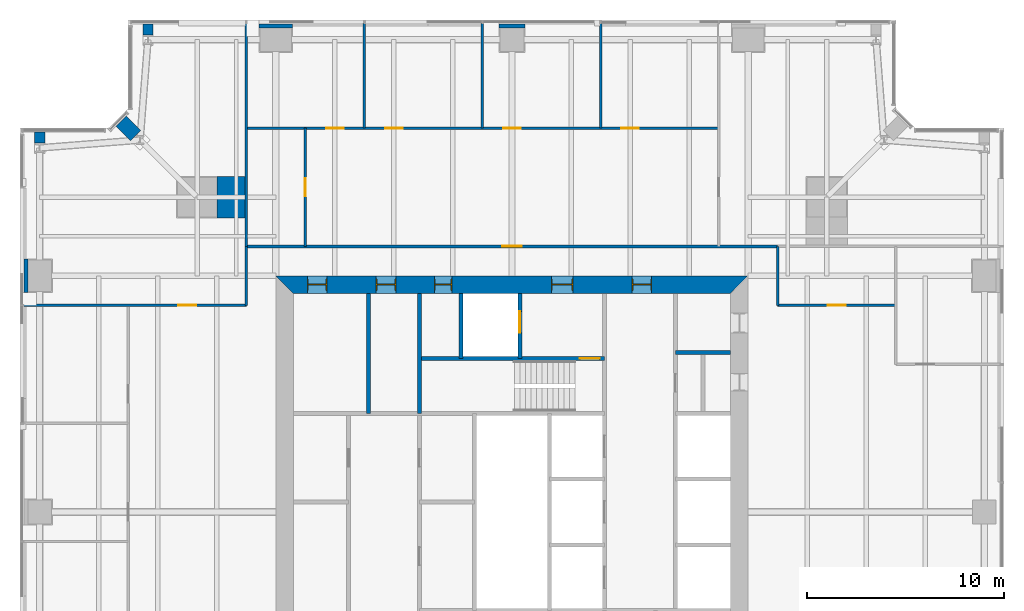
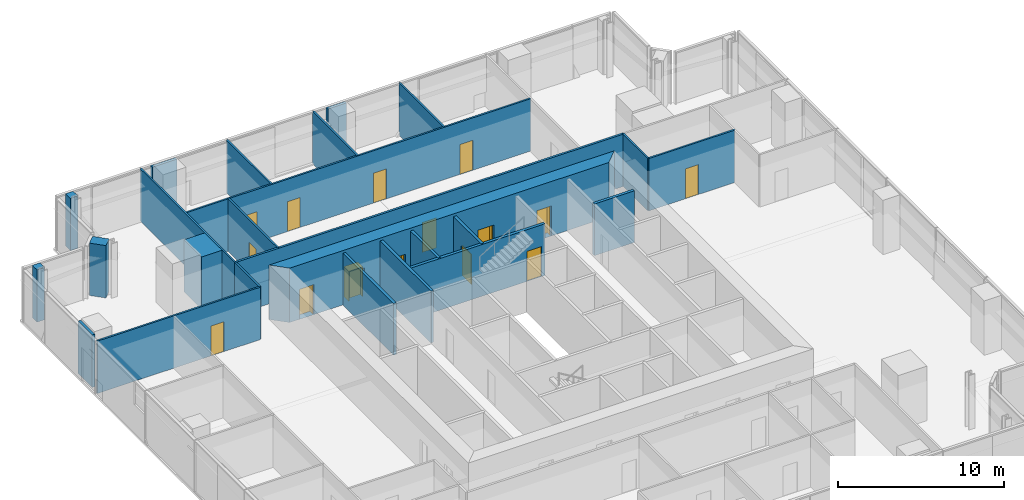
# One storey, part 11 of 14: 25 walls, 15 doors, 15 openings.
"""IFC4 building model written with IfcOpenShell, lengths in metres."""

from ifc_helpers import new_model, si_unit, direction, frame, frame_2d, origin, place, context, subcontext, project, spatial, polyline, rectangle, outline, extrude, material, layer, layer_set, type_object, element, fill, save


model = new_model("IFC4")

# Units and contexts
model_context = context("Model", 3, precision=1e-05, world=origin(), true_north=direction((0.0, 1.0)))
body_context = subcontext(model_context, "Body", "Model", "MODEL_VIEW")
ifc_project = project(units=[si_unit("LENGTHUNIT", "METRE"), si_unit("AREAUNIT", "SQUARE_METRE"), si_unit("VOLUMEUNIT", "CUBIC_METRE"), si_unit("PLANEANGLEUNIT", "RADIAN"), si_unit("MASSUNIT", "GRAM", prefix="KILO")], contexts=[model_context])

# Site, building, storey
site_placement = place(None, origin())
site = spatial("IfcSite", under=ifc_project, at=site_placement, CompositionType="ELEMENT")
building_placement = place(site_placement, origin())
building = spatial("IfcBuilding", under=site, at=building_placement, Name="Fenwick Lantern Interchange", CompositionType="ELEMENT")
storey_placement = place(building_placement, frame((0.0, 0.0, 193.800048828125)))
storey = spatial("IfcBuildingStorey", under=building, at=storey_placement, Name="L45", CompositionType="ELEMENT", Elevation=193.800048828125)

# Walls
ifc_material_1 = material(Name="Fire-rated gypsum board encasement on steel studs, 2 hour", Category="steel")
ifc_layer_1 = layer(ifc_material_1, 1.300048828125)
ifc_layer_set_1 = layer_set([ifc_layer_1], Name="COLUMN PIER 1300")
wall_type_1 = type_object("IfcWallType", Name="COLUMN PIER 1300", PredefinedType="PARTITIONING", material=ifc_layer_set_1)
wall_1_placement = place(storey_placement, frame((25.0, 49.800048828125, 0.0), z_axis=(0.0, 0.0, 1.0), x_axis=(0.0, -1.0, 0.0)))
element("IfcWall", 1, at=wall_1_placement, inside=storey, type_object=wall_type_1, Name="L45/W/PIER/CN3", PredefinedType="PARTITIONING", context=body_context, shape_type="SweptSolid", body=[
    extrude(rectangle(XDim=0.199951171875, YDim=1.300048828125, at=frame_2d((0.10009765625, 0.0))), origin(), (0.0, 0.0, 1.0), 3.849853515625),
])
ifc_layer_2 = layer(ifc_material_1, 1.699951171875)
ifc_layer_set_2 = layer_set([ifc_layer_2], Name="COLUMN PIER 1700")
wall_type_2 = type_object("IfcWallType", Name="COLUMN PIER 1700", PredefinedType="PARTITIONING", material=ifc_layer_set_2)
for number, where, z_axis, x_axis, name in (
    (2, (13.0, 49.800048828125, 0.0), (0.0, 0.0, 1.0), (0.0, -1.0, 0.0), "L45/W/PIER/CN4"),
    (3, (0.199951171875, 37.0, 0.0), (0.0, 0.0, 1.0), (1.0, 0.0, 0.0), "L45/W/PIER/CW2"),
):
    element("IfcWall", number, at=place(storey_placement, frame(where, z_axis=z_axis, x_axis=x_axis)), inside=storey, type_object=wall_type_2, Name=name, PredefinedType="PARTITIONING", context=body_context, shape_type="SweptSolid", body=[
        extrude(rectangle(XDim=0.199951171875, YDim=1.699951171875, at=frame_2d((0.10009765625, 0.0))), origin(), (0.0, 0.0, 1.0), 3.849853515625),
    ])
ifc_layer_3 = layer(ifc_material_1, 2.10009765625)
ifc_layer_set_3 = layer_set([ifc_layer_3], Name="COLUMN PIER 2100")
wall_type_3 = type_object("IfcWallType", Name="COLUMN PIER 2100", PredefinedType="PARTITIONING", material=ifc_layer_set_3)
wall_2_placement = place(storey_placement, frame((11.4375, 41.0, 0.0), z_axis=(0.0, 0.0, 1.0), x_axis=(-1.0, 0.0, 0.0)))
element("IfcWall", 4, at=wall_2_placement, inside=storey, type_object=wall_type_3, Name="L45/W/PIER/M4", PredefinedType="PARTITIONING", context=body_context, shape_type="SweptSolid", body=[
    extrude(rectangle(XDim=1.4375, YDim=2.10009765625, at=frame_2d((0.71875, 0.0))), origin(), (0.0, 0.0, 1.0), 3.849853515625),
])
ifc_layer_4 = layer(ifc_material_1, 0.52392578125)
ifc_layer_set_4 = layer_set([ifc_layer_4], Name="COLUMN PIER 524")
wall_type_4 = type_object("IfcWallType", Name="COLUMN PIER 524", PredefinedType="PARTITIONING", material=ifc_layer_set_4)
for number, where, z_axis, x_axis, name in (
    (5, (6.5, 49.800048828125, 0.0), (0.0, 0.0, 1.0), (0.0, -1.0, 0.0), "L45/W/PIER/CN5"),
    (6, (1.0, 44.300048828125, 0.0), (0.0, 0.0, 1.0), (0.0, -1.0, 0.0), "L45/W/PIER/CW1"),
):
    element("IfcWall", number, at=place(storey_placement, frame(where, z_axis=z_axis, x_axis=x_axis)), inside=storey, type_object=wall_type_4, Name=name, PredefinedType="PARTITIONING", context=body_context, shape_type="SweptSolid", body=[
        extrude(rectangle(XDim=0.5625, YDim=0.52392578125, at=frame_2d((0.28125, 0.0))), origin(), (0.0, 0.0, 1.0), 3.849853515625),
    ])
ifc_layer_5 = layer(ifc_material_1, 0.736083984375)
ifc_layer_set_5 = layer_set([ifc_layer_5], Name="COLUMN PIER 736")
wall_type_5 = type_object("IfcWallType", Name="COLUMN PIER 736", PredefinedType="PARTITIONING", material=ifc_layer_set_5)
wall_3_placement = place(storey_placement, frame((5.141357421875, 44.858642578125, 0.0), z_axis=(0.0, 0.0, 1.0), x_axis=(0.707106781187, -0.707106781187, 0.0)))
element("IfcWall", 7, at=wall_3_placement, inside=storey, type_object=wall_type_5, Name="L45/W/PIER/CNR", PredefinedType="PARTITIONING", context=body_context, shape_type="SweptSolid", body=[
    extrude(rectangle(XDim=1.037841796875, YDim=0.736083984375, at=frame_2d((0.51904296875, 0.0))), origin(), (0.0, 0.0, 1.0), 3.849853515625),
])

# Wall, opening, door
ifc_material_2 = material(Name="Concrete masonry ASTM C90 Grade N", Category="masonry")
ifc_layer_6 = layer(ifc_material_2, 0.199951171875)
ifc_layer_set_6 = layer_set([ifc_layer_6], Name="Concrete masonry ASTM C90 Grade N")
wall_type_6 = type_object("IfcWallType", Name="CORE PARTITION 200", PredefinedType="PARTITIONING", material=ifc_layer_set_6)
wall_4_placement = place(storey_placement, frame((25.39990234375, 36.10009765625, 0.0), z_axis=(0.0, 0.0, 1.0), x_axis=(0.0, -1.0, 0.0)))
wall_4 = element("IfcWall", 8, at=wall_4_placement, inside=storey, type_object=wall_type_6, Name="L45/W/COREN/h1", PredefinedType="PARTITIONING", context=body_context, shape_type="SweptSolid", body=[
    extrude(rectangle(XDim=3.300048828125, YDim=0.199951171875, at=frame_2d((1.64990234375, 0.0))), origin(), (0.0, 0.0, 1.0), 3.800048828125),
])
opening_1_placement = place(wall_4_placement, frame((0.89990234375, 0.0, 0.0)))
opening_1 = element("IfcOpeningElement", 9, at=opening_1_placement, cuts=wall_4, Name="Opening LD-FL2", PredefinedType="OPENING", context=body_context, shape_type="SweptSolid", body=[
    extrude(rectangle(XDim=1.10009765625, YDim=2.199951171875, at=frame_2d((0.550048828125, 1.10009765625))), frame((0.0, 0.10986328125, 0.0), z_axis=(0.0, -1.0, 0.0), x_axis=(1.0, 0.0, 0.0)), (0.0, 0.0, 1.0), 0.219970703125),
])
ifc_material_3 = material(Name="Steel door and frame", Category="steel")
door_type_1 = type_object("IfcDoorType", Name="LIFT LANDING DOOR 1100 X 2200", OperationType="DOUBLE_DOOR_SLIDING", PredefinedType="DOOR", material=ifc_material_3)
door_1_placement = place(opening_1_placement, origin())
door_1 = element("IfcDoor", 10, at=door_1_placement, inside=storey, type_object=door_type_1, Name="Lift landing door FL2", OperationType="DOUBLE_DOOR_SLIDING", OverallHeight=2.199951171875, OverallWidth=1.10009765625, PredefinedType="DOOR", context=body_context, shape_type="SweptSolid", body=[
    extrude(rectangle(XDim=1.10009765625, YDim=2.199951171875, at=frame_2d((0.550048828125, 1.10009765625))), frame((0.0, 0.02490234375, 0.0), z_axis=(0.0, -1.0, 0.0), x_axis=(1.0, 0.0, 0.0)), (0.0, 0.0, 1.0), 0.050048828125),
])
fill(opening_1, door_1)

# Walls
wall_5_placement = place(storey_placement, frame((22.39990234375, 36.10009765625, 0.0), z_axis=(0.0, 0.0, 1.0), x_axis=(0.0, -1.0, 0.0)))
element("IfcWall", 11, at=wall_5_placement, inside=storey, type_object=wall_type_6, Name="L45/W/COREN/h2", PredefinedType="PARTITIONING", context=body_context, shape_type="SweptSolid", body=[
    extrude(rectangle(XDim=3.300048828125, YDim=0.199951171875, at=frame_2d((1.64990234375, 0.0))), origin(), (0.0, 0.0, 1.0), 3.800048828125),
])
wall_6_placement = place(storey_placement, frame((17.699951171875, 36.10009765625, 0.0), z_axis=(0.0, 0.0, 1.0), x_axis=(0.0, -1.0, 0.0)))
element("IfcWall", 12, at=wall_6_placement, inside=storey, type_object=wall_type_6, Name="L45/W/COREN/i2", PredefinedType="PARTITIONING", context=body_context, shape_type="SweptSolid", body=[
    extrude(rectangle(XDim=6.10009765625, YDim=0.199951171875, at=frame_2d((3.050048828125, 0.0))), origin(), (0.0, 0.0, 1.0), 3.800048828125),
])
wall_7_placement = place(storey_placement, frame((36.10009765625, 33.10009765625, 0.0), z_axis=(0.0, 0.0, 1.0), x_axis=(-1.0, 0.0, 0.0)))
element("IfcWall", 13, at=wall_7_placement, inside=storey, type_object=wall_type_6, Name="L45/W/COREN/p1", PredefinedType="PARTITIONING", context=body_context, shape_type="SweptSolid", body=[
    extrude(rectangle(XDim=2.800048828125, YDim=0.199951171875, at=frame_2d((1.39990234375, 0.0))), origin(), (0.0, 0.0, 1.0), 3.800048828125),
])

# Wall, openings, doors
ifc_material_4 = material(Name="Concrete f'c 70 MPa", Category="concrete")
ifc_layer_7 = layer(ifc_material_4, 0.89990234375)
ifc_layer_set_7 = layer_set([ifc_layer_7], Name="CORE WALL 900")
wall_type_7 = type_object("IfcWallType", Name="CORE WALL 900", PredefinedType="SHEAR", material=ifc_layer_set_7)
wall_8_placement = place(storey_placement, frame((37.0, 36.550048828125, 0.0), z_axis=(0.0, 0.0, 1.0), x_axis=(-1.0, 0.0, 0.0)))
wall_8 = element("IfcWall", 14, at=wall_8_placement, inside=storey, type_object=wall_type_7, Name="L45/CORE/N", PredefinedType="SHEAR", context=body_context, shape_type="SweptSolid", body=[
    extrude(outline(polyline([(0.0, -0.449951171875), (24.0, -0.449951171875), (23.10009765625, 0.449951171875), (0.89990234375, 0.449951171875), (0.0, -0.449951171875)])), origin(), (0.0, 0.0, 1.0), 4.0),
])
opening_2_placement = place(wall_8_placement, frame((4.89990234375, 0.0, 0.0)))
opening_2 = element("IfcOpeningElement", 15, at=opening_2_placement, cuts=wall_8, Name="Opening L45-D012", PredefinedType="OPENING", context=body_context, shape_type="SweptSolid", body=[
    extrude(rectangle(XDim=1.0, YDim=2.199951171875, at=frame_2d((0.5, 1.10009765625))), frame((0.0, 0.4599609375, 0.0), z_axis=(0.0, -1.0, 0.0), x_axis=(1.0, 0.0, 0.0)), (0.0, 0.0, 1.0), 0.919921875),
])
opening_3_placement = place(wall_8_placement, frame((8.89990234375, 0.0, 0.0)))
opening_3 = element("IfcOpeningElement", 16, at=opening_3_placement, cuts=wall_8, Name="Opening L45-D013", PredefinedType="OPENING", context=body_context, shape_type="SweptSolid", body=[
    extrude(rectangle(XDim=1.10009765625, YDim=2.199951171875, at=frame_2d((0.550048828125, 1.10009765625))), frame((0.0, 0.4599609375, 0.0), z_axis=(0.0, -1.0, 0.0), x_axis=(1.0, 0.0, 0.0)), (0.0, 0.0, 1.0), 0.919921875),
])
opening_4_placement = place(wall_8_placement, frame((15.050048828125, 0.0, 0.0)))
opening_4 = element("IfcOpeningElement", 17, at=opening_4_placement, cuts=wall_8, Name="Opening L45-D015", PredefinedType="OPENING", context=body_context, shape_type="SweptSolid", body=[
    extrude(rectangle(XDim=0.89990234375, YDim=2.199951171875, at=frame_2d((0.449951171875, 1.10009765625))), frame((0.0, 0.4599609375, 0.0), z_axis=(0.0, -1.0, 0.0), x_axis=(1.0, 0.0, 0.0)), (0.0, 0.0, 1.0), 0.919921875),
])
opening_5_placement = place(wall_8_placement, frame((17.89990234375, 0.0, 0.0)))
opening_5 = element("IfcOpeningElement", 18, at=opening_5_placement, cuts=wall_8, Name="Opening L45-D016", PredefinedType="OPENING", context=body_context, shape_type="SweptSolid", body=[
    extrude(rectangle(XDim=1.0, YDim=2.199951171875, at=frame_2d((0.5, 1.10009765625))), frame((0.0, 0.4599609375, 0.0), z_axis=(0.0, -1.0, 0.0), x_axis=(1.0, 0.0, 0.0)), (0.0, 0.0, 1.0), 0.919921875),
])
opening_6_placement = place(wall_8_placement, frame((21.39990234375, 0.0, 0.0)))
opening_6 = element("IfcOpeningElement", 19, at=opening_6_placement, cuts=wall_8, Name="Opening L45-D017", PredefinedType="OPENING", context=body_context, shape_type="SweptSolid", body=[
    extrude(rectangle(XDim=1.0, YDim=2.199951171875, at=frame_2d((0.5, 1.10009765625))), frame((0.0, 0.4599609375, 0.0), z_axis=(0.0, -1.0, 0.0), x_axis=(1.0, 0.0, 0.0)), (0.0, 0.0, 1.0), 0.919921875),
])
door_type_2 = type_object("IfcDoorType", Name="CORE LOBBY DOOR 1000 X 2200", OperationType="SINGLE_SWING_LEFT", PredefinedType="DOOR", material=ifc_material_3)
door_2_placement = place(opening_2_placement, origin())
door_2 = element("IfcDoor", 20, at=door_2_placement, inside=storey, type_object=door_type_2, Name="Core lobby door", OperationType="SINGLE_SWING_LEFT", OverallHeight=2.199951171875, OverallWidth=1.0, PredefinedType="DOOR", context=body_context, shape_type="SweptSolid", body=[
    extrude(rectangle(XDim=1.0, YDim=2.199951171875, at=frame_2d((0.5, 1.10009765625))), frame((0.0, 0.02490234375, 0.0), z_axis=(0.0, -1.0, 0.0), x_axis=(1.0, 0.0, 0.0)), (0.0, 0.0, 1.0), 0.050048828125),
    extrude(outline(polyline([(0.0, 0.0), (0.0400390625, 0.0), (0.0400390625, 2.159912109375), (0.9599609375, 2.159912109375), (0.9599609375, 0.0), (1.0, 0.0), (1.0, 2.199951171875), (0.0, 2.199951171875), (0.0, 0.0)])), frame((0.0, 0.300048828125, 0.0), z_axis=(0.0, -1.0, 0.0), x_axis=(1.0, 0.0, 0.0)), (0.0, 0.0, 1.0), 0.60009765625),
])
fill(opening_2, door_2)
door_type_3 = type_object("IfcDoorType", Name="FIRE LOBBY DOOR 1100 X 2200", OperationType="SINGLE_SWING_LEFT", PredefinedType="DOOR", material=ifc_material_3)
door_3_placement = place(opening_3_placement, origin())
door_3 = element("IfcDoor", 21, at=door_3_placement, inside=storey, type_object=door_type_3, Name="Fire lobby door", OperationType="SINGLE_SWING_LEFT", OverallHeight=2.199951171875, OverallWidth=1.10009765625, PredefinedType="DOOR", context=body_context, shape_type="SweptSolid", body=[
    extrude(rectangle(XDim=1.10009765625, YDim=2.199951171875, at=frame_2d((0.550048828125, 1.10009765625))), frame((0.0, 0.02490234375, 0.0), z_axis=(0.0, -1.0, 0.0), x_axis=(1.0, 0.0, 0.0)), (0.0, 0.0, 1.0), 0.050048828125),
    extrude(outline(polyline([(0.0, 0.0), (0.0400390625, 0.0), (0.0400390625, 2.159912109375), (1.06005859375, 2.159912109375), (1.06005859375, 0.0), (1.10009765625, 0.0), (1.10009765625, 2.199951171875), (0.0, 2.199951171875), (0.0, 0.0)])), frame((0.0, 0.300048828125, 0.0), z_axis=(0.0, -1.0, 0.0), x_axis=(1.0, 0.0, 0.0)), (0.0, 0.0, 1.0), 0.60009765625),
])
fill(opening_3, door_3)
door_type_4 = type_object("IfcDoorType", Name="SERVICE DOOR 900 X 2200", OperationType="SINGLE_SWING_LEFT", PredefinedType="DOOR", material=ifc_material_3)
door_4_placement = place(opening_4_placement, origin())
door_4 = element("IfcDoor", 22, at=door_4_placement, inside=storey, type_object=door_type_4, Name="Service door", OperationType="SINGLE_SWING_LEFT", OverallHeight=2.199951171875, OverallWidth=0.89990234375, PredefinedType="DOOR", context=body_context, shape_type="SweptSolid", body=[
    extrude(rectangle(XDim=0.89990234375, YDim=2.199951171875, at=frame_2d((0.449951171875, 1.10009765625))), frame((0.0, 0.02490234375, 0.0), z_axis=(0.0, -1.0, 0.0), x_axis=(1.0, 0.0, 0.0)), (0.0, 0.0, 1.0), 0.050048828125),
    extrude(outline(polyline([(0.0, 0.0), (0.0400390625, 0.0), (0.0400390625, 2.159912109375), (0.85986328125, 2.159912109375), (0.85986328125, 0.0), (0.89990234375, 0.0), (0.89990234375, 2.199951171875), (0.0, 2.199951171875), (0.0, 0.0)])), frame((0.0, 0.300048828125, 0.0), z_axis=(0.0, -1.0, 0.0), x_axis=(1.0, 0.0, 0.0)), (0.0, 0.0, 1.0), 0.60009765625),
])
fill(opening_4, door_4)
ifc_material_5 = material(Name="Hardwood door and steel frame", Category="steel")
door_type_5 = type_object("IfcDoorType", Name="WC DOOR 1000 X 2200", OperationType="SINGLE_SWING_LEFT", PredefinedType="DOOR", material=ifc_material_5)
door_5_placement = place(opening_5_placement, origin())
door_5 = element("IfcDoor", 23, at=door_5_placement, inside=storey, type_object=door_type_5, Name="Wc door", OperationType="SINGLE_SWING_RIGHT", OverallHeight=2.199951171875, OverallWidth=1.0, PredefinedType="DOOR", context=body_context, shape_type="SweptSolid", body=[
    extrude(rectangle(XDim=1.0, YDim=2.199951171875, at=frame_2d((0.5, 1.10009765625))), frame((0.0, 0.02490234375, 0.0), z_axis=(0.0, -1.0, 0.0), x_axis=(1.0, 0.0, 0.0)), (0.0, 0.0, 1.0), 0.050048828125),
    extrude(outline(polyline([(0.0, 0.0), (0.0400390625, 0.0), (0.0400390625, 2.159912109375), (0.9599609375, 2.159912109375), (0.9599609375, 0.0), (1.0, 0.0), (1.0, 2.199951171875), (0.0, 2.199951171875), (0.0, 0.0)])), frame((0.0, 0.300048828125, 0.0), z_axis=(0.0, -1.0, 0.0), x_axis=(1.0, 0.0, 0.0)), (0.0, 0.0, 1.0), 0.60009765625),
])
fill(opening_5, door_5)
door_6_placement = place(opening_6_placement, origin())
door_6 = element("IfcDoor", 24, at=door_6_placement, inside=storey, type_object=door_type_5, Name="Wc door", OperationType="SINGLE_SWING_RIGHT", OverallHeight=2.199951171875, OverallWidth=1.0, PredefinedType="DOOR", context=body_context, shape_type="SweptSolid", body=[
    extrude(rectangle(XDim=1.0, YDim=2.199951171875, at=frame_2d((0.5, 1.10009765625))), frame((0.0, 0.02490234375, 0.0), z_axis=(0.0, -1.0, 0.0), x_axis=(1.0, 0.0, 0.0)), (0.0, 0.0, 1.0), 0.050048828125),
    extrude(outline(polyline([(0.0, 0.0), (0.0400390625, 0.0), (0.0400390625, 2.159912109375), (0.9599609375, 2.159912109375), (0.9599609375, 0.0), (1.0, 0.0), (1.0, 2.199951171875), (0.0, 2.199951171875), (0.0, 0.0)])), frame((0.0, 0.300048828125, 0.0), z_axis=(0.0, -1.0, 0.0), x_axis=(1.0, 0.0, 0.0)), (0.0, 0.0, 1.0), 0.60009765625),
])
fill(opening_6, door_6)

# Wall, opening, door
ifc_material_6 = material(Name="Gypsum board on steel studs, 1 hour", Category="steel")
ifc_layer_8 = layer(ifc_material_6, 0.14990234375)
ifc_layer_set_8 = layer_set([ifc_layer_8], Name="CORRIDOR WALL 150")
wall_type_8 = type_object("IfcWallType", Name="CORRIDOR WALL 150", PredefinedType="PARTITIONING", material=ifc_layer_set_8)
wall_9_placement = place(storey_placement, frame((38.5, 38.5, 0.0), z_axis=(0.0, 0.0, 1.0), x_axis=(-1.0, 0.0, 0.0)))
wall_9 = element("IfcWall", 25, at=wall_9_placement, inside=storey, type_object=wall_type_8, Name="L45/W/OFF/N/CW", PredefinedType="PARTITIONING", context=body_context, shape_type="SweptSolid", body=[
    extrude(rectangle(XDim=27.0, YDim=0.14990234375, at=frame_2d((13.5, 0.0))), origin(), (0.0, 0.0, 1.0), 3.849853515625),
])
opening_7_placement = place(wall_9_placement, frame((13.0, 0.0, 0.0)))
opening_7 = element("IfcOpeningElement", 26, at=opening_7_placement, cuts=wall_9, Name="Opening L45-D031", PredefinedType="OPENING", context=body_context, shape_type="SweptSolid", body=[
    extrude(rectangle(XDim=1.0, YDim=2.199951171875, at=frame_2d((0.5, 1.10009765625))), frame((0.0, 0.0849609375, 0.0), z_axis=(0.0, -1.0, 0.0), x_axis=(1.0, 0.0, 0.0)), (0.0, 0.0, 1.0), 0.169921875),
])
door_type_6 = type_object("IfcDoorType", Name="SUITE ENTRANCE DOOR 1000 X 2200", OperationType="SINGLE_SWING_LEFT", PredefinedType="DOOR", material=ifc_material_3)
door_7_placement = place(opening_7_placement, frame((1.0, 0.0, 0.0), z_axis=(0.0, 0.0, 1.0), x_axis=(-1.0, 0.0, 0.0)))
door_7 = element("IfcDoor", 27, at=door_7_placement, inside=storey, type_object=door_type_6, Name="Suite entrance door", OperationType="SINGLE_SWING_RIGHT", OverallHeight=2.199951171875, OverallWidth=1.0, PredefinedType="DOOR", context=body_context, shape_type="SweptSolid", body=[
    extrude(rectangle(XDim=1.0, YDim=2.199951171875, at=frame_2d((0.5, 1.10009765625))), frame((0.0, 0.02490234375, 0.0), z_axis=(0.0, -1.0, 0.0), x_axis=(1.0, 0.0, 0.0)), (0.0, 0.0, 1.0), 0.050048828125),
])
fill(opening_7, door_7)

ifc_material_7 = material(Name="Gypsum board on steel studs, acoustic", Category="steel")
ifc_layer_9 = layer(ifc_material_7, 0.125)
ifc_layer_set_9 = layer_set([ifc_layer_9], Name="OFFICE PARTITION 125")
wall_type_9 = type_object("IfcWallType", Name="OFFICE PARTITION 125", PredefinedType="PARTITIONING", material=ifc_layer_set_9)
wall_10_placement = place(storey_placement, frame((44.5, 35.5, 0.0), z_axis=(0.0, 0.0, 1.0), x_axis=(-1.0, 0.0, 0.0)))
wall_10 = element("IfcWall", 28, at=wall_10_placement, inside=storey, type_object=wall_type_9, Name="L45/W/OFF/E/X355-1", PredefinedType="PARTITIONING", context=body_context, shape_type="SweptSolid", body=[
    extrude(rectangle(XDim=6.0, YDim=0.125, at=frame_2d((3.0, 0.0))), origin(), (0.0, 0.0, 1.0), 3.849853515625),
])
opening_8_placement = place(wall_10_placement, frame((2.550048828125, 0.0, 0.0)))
opening_8 = element("IfcOpeningElement", 29, at=opening_8_placement, cuts=wall_10, Name="Opening L45-D030", PredefinedType="OPENING", context=body_context, shape_type="SweptSolid", body=[
    extrude(rectangle(XDim=0.89990234375, YDim=2.199951171875, at=frame_2d((0.449951171875, 1.10009765625))), frame((0.0, 0.072509765625, 0.0), z_axis=(0.0, -1.0, 0.0), x_axis=(1.0, 0.0, 0.0)), (0.0, 0.0, 1.0), 0.14501953125),
])
door_type_7 = type_object("IfcDoorType", Name="OFFICE DOOR 900 X 2200", OperationType="SINGLE_SWING_LEFT", PredefinedType="DOOR", material=ifc_material_5)
door_8_placement = place(opening_8_placement, frame((0.89990234375, 0.0, 0.0), z_axis=(0.0, 0.0, 1.0), x_axis=(-1.0, 0.0, 0.0)))
door_8 = element("IfcDoor", 30, at=door_8_placement, inside=storey, type_object=door_type_7, Name="Office door", OperationType="SINGLE_SWING_RIGHT", OverallHeight=2.199951171875, OverallWidth=0.89990234375, PredefinedType="DOOR", context=body_context, shape_type="SweptSolid", body=[
    extrude(rectangle(XDim=0.89990234375, YDim=2.199951171875, at=frame_2d((0.449951171875, 1.10009765625))), frame((0.0, 0.02490234375, 0.0), z_axis=(0.0, -1.0, 0.0), x_axis=(1.0, 0.0, 0.0)), (0.0, 0.0, 1.0), 0.050048828125),
])
fill(opening_8, door_8)

# Walls
wall_11_placement = place(storey_placement, frame((38.5, 35.5, 0.0), z_axis=(0.0, 0.0, 1.0), x_axis=(0.0, 1.0, 0.0)))
element("IfcWall", 31, at=wall_11_placement, inside=storey, type_object=wall_type_9, Name="L45/W/OFF/E/CWS1", PredefinedType="PARTITIONING", context=body_context, shape_type="SweptSolid", body=[
    extrude(rectangle(XDim=3.0, YDim=0.125, at=frame_2d((1.5, 0.0))), origin(), (0.0, 0.0, 1.0), 3.849853515625),
])
for number, where, z_axis, x_axis, name in (
    (32, (29.5, 49.85009765625, 0.0), (0.0, 0.0, 1.0), (0.0, -1.0, 0.0), "L45/W/OFF/N/X205-1"),
    (33, (23.5, 49.85009765625, 0.0), (0.0, 0.0, 1.0), (0.0, -1.0, 0.0), "L45/W/OFF/N/X265-1"),
    (34, (17.5, 49.85009765625, 0.0), (0.0, 0.0, 1.0), (0.0, -1.0, 0.0), "L45/W/OFF/N/X325-1"),
):
    element("IfcWall", number, at=place(storey_placement, frame(where, z_axis=z_axis, x_axis=x_axis)), inside=storey, type_object=wall_type_9, Name=name, PredefinedType="PARTITIONING", context=body_context, shape_type="SweptSolid", body=[
        extrude(rectangle(XDim=5.35009765625, YDim=0.125, at=frame_2d((2.675048828125, 0.0))), origin(), (0.0, 0.0, 1.0), 3.849853515625),
    ])

# Wall, opening, door
wall_12_placement = place(storey_placement, frame((14.5, 44.5, 0.0), z_axis=(0.0, 0.0, 1.0), x_axis=(0.0, -1.0, 0.0)))
wall_12 = element("IfcWall", 35, at=wall_12_placement, inside=storey, type_object=wall_type_9, Name="L45/W/OFF/N/X355-1", PredefinedType="PARTITIONING", context=body_context, shape_type="SweptSolid", body=[
    extrude(rectangle(XDim=6.0, YDim=0.125, at=frame_2d((3.0, 0.0))), origin(), (0.0, 0.0, 1.0), 3.849853515625),
])
opening_9_placement = place(wall_12_placement, frame((2.550048828125, 0.0, 0.0)))
opening_9 = element("IfcOpeningElement", 36, at=opening_9_placement, cuts=wall_12, Name="Opening L45-D037", PredefinedType="OPENING", context=body_context, shape_type="SweptSolid", body=[
    extrude(rectangle(XDim=0.89990234375, YDim=2.199951171875, at=frame_2d((0.449951171875, 1.10009765625))), frame((0.0, 0.072509765625, 0.0), z_axis=(0.0, -1.0, 0.0), x_axis=(1.0, 0.0, 0.0)), (0.0, 0.0, 1.0), 0.14501953125),
])
door_9_placement = place(opening_9_placement, frame((0.89990234375, 0.0, 0.0), z_axis=(0.0, 0.0, 1.0), x_axis=(-1.0, 0.0, 0.0)))
door_9 = element("IfcDoor", 37, at=door_9_placement, inside=storey, type_object=door_type_7, Name="Office door", OperationType="SINGLE_SWING_RIGHT", OverallHeight=2.199951171875, OverallWidth=0.89990234375, PredefinedType="DOOR", context=body_context, shape_type="SweptSolid", body=[
    extrude(rectangle(XDim=0.89990234375, YDim=2.199951171875, at=frame_2d((0.449951171875, 1.10009765625))), frame((0.0, 0.02490234375, 0.0), z_axis=(0.0, -1.0, 0.0), x_axis=(1.0, 0.0, 0.0)), (0.0, 0.0, 1.0), 0.050048828125),
])
fill(opening_9, door_9)

# Wall, openings, doors
wall_13_placement = place(storey_placement, frame((35.5, 44.5, 0.0), z_axis=(0.0, 0.0, 1.0), x_axis=(-1.0, 0.0, 0.0)))
wall_13 = element("IfcWall", 38, at=wall_13_placement, inside=storey, type_object=wall_type_9, Name="L45/W/OFF/N/Y55-1", PredefinedType="PARTITIONING", context=body_context, shape_type="SweptSolid", body=[
    extrude(rectangle(XDim=24.0, YDim=0.125, at=frame_2d((12.0, 0.0))), origin(), (0.0, 0.0, 1.0), 3.849853515625),
])
opening_10_placement = place(wall_13_placement, frame((4.050048828125, 0.0, 0.0)))
opening_10 = element("IfcOpeningElement", 39, at=opening_10_placement, cuts=wall_13, Name="Opening L45-D033", PredefinedType="OPENING", context=body_context, shape_type="SweptSolid", body=[
    extrude(rectangle(XDim=0.89990234375, YDim=2.199951171875, at=frame_2d((0.449951171875, 1.10009765625))), frame((0.0, 0.072509765625, 0.0), z_axis=(0.0, -1.0, 0.0), x_axis=(1.0, 0.0, 0.0)), (0.0, 0.0, 1.0), 0.14501953125),
])
opening_11_placement = place(wall_13_placement, frame((10.050048828125, 0.0, 0.0)))
opening_11 = element("IfcOpeningElement", 40, at=opening_11_placement, cuts=wall_13, Name="Opening L45-D034", PredefinedType="OPENING", context=body_context, shape_type="SweptSolid", body=[
    extrude(rectangle(XDim=0.89990234375, YDim=2.199951171875, at=frame_2d((0.449951171875, 1.10009765625))), frame((0.0, 0.072509765625, 0.0), z_axis=(0.0, -1.0, 0.0), x_axis=(1.0, 0.0, 0.0)), (0.0, 0.0, 1.0), 0.14501953125),
])
opening_12_placement = place(wall_13_placement, frame((16.050048828125, 0.0, 0.0)))
opening_12 = element("IfcOpeningElement", 41, at=opening_12_placement, cuts=wall_13, Name="Opening L45-D035", PredefinedType="OPENING", context=body_context, shape_type="SweptSolid", body=[
    extrude(rectangle(XDim=0.89990234375, YDim=2.199951171875, at=frame_2d((0.449951171875, 1.10009765625))), frame((0.0, 0.072509765625, 0.0), z_axis=(0.0, -1.0, 0.0), x_axis=(1.0, 0.0, 0.0)), (0.0, 0.0, 1.0), 0.14501953125),
])
opening_13_placement = place(wall_13_placement, frame((19.050048828125, 0.0, 0.0)))
opening_13 = element("IfcOpeningElement", 42, at=opening_13_placement, cuts=wall_13, Name="Opening L45-D036", PredefinedType="OPENING", context=body_context, shape_type="SweptSolid", body=[
    extrude(rectangle(XDim=0.89990234375, YDim=2.199951171875, at=frame_2d((0.449951171875, 1.10009765625))), frame((0.0, 0.072509765625, 0.0), z_axis=(0.0, -1.0, 0.0), x_axis=(1.0, 0.0, 0.0)), (0.0, 0.0, 1.0), 0.14501953125),
])
door_10_placement = place(opening_10_placement, frame((0.89990234375, 0.0, 0.0), z_axis=(0.0, 0.0, 1.0), x_axis=(-1.0, 0.0, 0.0)))
door_10 = element("IfcDoor", 43, at=door_10_placement, inside=storey, type_object=door_type_7, Name="Office door", OperationType="SINGLE_SWING_LEFT", OverallHeight=2.199951171875, OverallWidth=0.89990234375, PredefinedType="DOOR", context=body_context, shape_type="SweptSolid", body=[
    extrude(rectangle(XDim=0.89990234375, YDim=2.199951171875, at=frame_2d((0.449951171875, 1.10009765625))), frame((0.0, 0.02490234375, 0.0), z_axis=(0.0, -1.0, 0.0), x_axis=(1.0, 0.0, 0.0)), (0.0, 0.0, 1.0), 0.050048828125),
])
fill(opening_10, door_10)
door_11_placement = place(opening_11_placement, frame((0.89990234375, 0.0, 0.0), z_axis=(0.0, 0.0, 1.0), x_axis=(-1.0, 0.0, 0.0)))
door_11 = element("IfcDoor", 44, at=door_11_placement, inside=storey, type_object=door_type_7, Name="Office door", OperationType="SINGLE_SWING_LEFT", OverallHeight=2.199951171875, OverallWidth=0.89990234375, PredefinedType="DOOR", context=body_context, shape_type="SweptSolid", body=[
    extrude(rectangle(XDim=0.89990234375, YDim=2.199951171875, at=frame_2d((0.449951171875, 1.10009765625))), frame((0.0, 0.02490234375, 0.0), z_axis=(0.0, -1.0, 0.0), x_axis=(1.0, 0.0, 0.0)), (0.0, 0.0, 1.0), 0.050048828125),
])
fill(opening_11, door_11)
door_12_placement = place(opening_12_placement, frame((0.89990234375, 0.0, 0.0), z_axis=(0.0, 0.0, 1.0), x_axis=(-1.0, 0.0, 0.0)))
door_12 = element("IfcDoor", 45, at=door_12_placement, inside=storey, type_object=door_type_7, Name="Office door", OperationType="SINGLE_SWING_LEFT", OverallHeight=2.199951171875, OverallWidth=0.89990234375, PredefinedType="DOOR", context=body_context, shape_type="SweptSolid", body=[
    extrude(rectangle(XDim=0.89990234375, YDim=2.199951171875, at=frame_2d((0.449951171875, 1.10009765625))), frame((0.0, 0.02490234375, 0.0), z_axis=(0.0, -1.0, 0.0), x_axis=(1.0, 0.0, 0.0)), (0.0, 0.0, 1.0), 0.050048828125),
])
fill(opening_12, door_12)
door_13_placement = place(opening_13_placement, frame((0.89990234375, 0.0, 0.0), z_axis=(0.0, 0.0, 1.0), x_axis=(-1.0, 0.0, 0.0)))
door_13 = element("IfcDoor", 46, at=door_13_placement, inside=storey, type_object=door_type_7, Name="Office door", OperationType="SINGLE_SWING_RIGHT", OverallHeight=2.199951171875, OverallWidth=0.89990234375, PredefinedType="DOOR", context=body_context, shape_type="SweptSolid", body=[
    extrude(rectangle(XDim=0.89990234375, YDim=2.199951171875, at=frame_2d((0.449951171875, 1.10009765625))), frame((0.0, 0.02490234375, 0.0), z_axis=(0.0, -1.0, 0.0), x_axis=(1.0, 0.0, 0.0)), (0.0, 0.0, 1.0), 0.050048828125),
])
fill(opening_13, door_13)

# Wall
wall_14_placement = place(storey_placement, frame((11.5, 49.85009765625, 0.0), z_axis=(0.0, 0.0, 1.0), x_axis=(0.0, -1.0, 0.0)))
element("IfcWall", 47, at=wall_14_placement, inside=storey, type_object=wall_type_9, Name="L45/W/OFF/W/BACK", PredefinedType="PARTITIONING", context=body_context, shape_type="SweptSolid", body=[
    extrude(rectangle(XDim=11.35009765625, YDim=0.125, at=frame_2d((5.675048828125, 0.0))), origin(), (0.0, 0.0, 1.0), 3.849853515625),
])

# Wall, opening, door
wall_15_placement = place(storey_placement, frame((0.14990234375, 35.5, 0.0), z_axis=(0.0, 0.0, 1.0), x_axis=(1.0, 0.0, 0.0)))
wall_15 = element("IfcWall", 48, at=wall_15_placement, inside=storey, type_object=wall_type_9, Name="L45/W/OFF/W/X145-1", PredefinedType="PARTITIONING", context=body_context, shape_type="SweptSolid", body=[
    extrude(rectangle(XDim=11.35009765625, YDim=0.125, at=frame_2d((5.675048828125, 0.0))), origin(), (0.0, 0.0, 1.0), 3.849853515625),
])
opening_14_placement = place(wall_15_placement, frame((7.89990234375, 0.0, 0.0)))
opening_14 = element("IfcOpeningElement", 49, at=opening_14_placement, cuts=wall_15, Name="Opening L45-D038", PredefinedType="OPENING", context=body_context, shape_type="SweptSolid", body=[
    extrude(rectangle(XDim=0.89990234375, YDim=2.199951171875, at=frame_2d((0.449951171875, 1.10009765625))), frame((0.0, 0.072509765625, 0.0), z_axis=(0.0, -1.0, 0.0), x_axis=(1.0, 0.0, 0.0)), (0.0, 0.0, 1.0), 0.14501953125),
])
door_14_placement = place(opening_14_placement, origin())
door_14 = element("IfcDoor", 50, at=door_14_placement, inside=storey, type_object=door_type_7, Name="Office door", OperationType="SINGLE_SWING_RIGHT", OverallHeight=2.199951171875, OverallWidth=0.89990234375, PredefinedType="DOOR", context=body_context, shape_type="SweptSolid", body=[
    extrude(rectangle(XDim=0.89990234375, YDim=2.199951171875, at=frame_2d((0.449951171875, 1.10009765625))), frame((0.0, 0.02490234375, 0.0), z_axis=(0.0, -1.0, 0.0), x_axis=(1.0, 0.0, 0.0)), (0.0, 0.0, 1.0), 0.050048828125),
])
fill(opening_14, door_14)

# Wall
wall_16_placement = place(storey_placement, frame((11.5, 38.5, 0.0), z_axis=(0.0, 0.0, 1.0), x_axis=(0.0, -1.0, 0.0)))
element("IfcWall", 51, at=wall_16_placement, inside=storey, type_object=wall_type_9, Name="L45/W/OFF/W/CWS1", PredefinedType="PARTITIONING", context=body_context, shape_type="SweptSolid", body=[
    extrude(rectangle(XDim=3.0, YDim=0.125, at=frame_2d((1.5, 0.0))), origin(), (0.0, 0.0, 1.0), 3.849853515625),
])

# Wall, opening, door
ifc_material_8 = material(Name="Concrete f'c 45 MPa", Category="concrete")
ifc_layer_10 = layer(ifc_material_8, 0.199951171875)
ifc_layer_set_10 = layer_set([ifc_layer_10], Name="STAIR CORE WALL 200")
wall_type_10 = type_object("IfcWallType", Name="STAIR CORE WALL 200", PredefinedType="SOLIDWALL", material=ifc_layer_set_10)
wall_17_placement = place(storey_placement, frame((29.699951171875, 32.800048828125, 0.0), z_axis=(0.0, 0.0, 1.0), x_axis=(-1.0, 0.0, 0.0)))
wall_17 = element("IfcWall", 52, at=wall_17_placement, inside=storey, type_object=wall_type_10, Name="L45/W/COREN/g1", PredefinedType="SOLIDWALL", context=body_context, shape_type="SweptSolid", body=[
    extrude(rectangle(XDim=9.39990234375, YDim=0.199951171875, at=frame_2d((4.699951171875, 0.0))), origin(), (0.0, 0.0, 1.0), 3.800048828125),
])
opening_15_placement = place(wall_17_placement, frame((0.25, 0.0, 0.0)))
opening_15 = element("IfcOpeningElement", 53, at=opening_15_placement, cuts=wall_17, Name="Opening L45-D014", PredefinedType="OPENING", context=body_context, shape_type="SweptSolid", body=[
    extrude(rectangle(XDim=1.0, YDim=2.199951171875, at=frame_2d((0.5, 1.10009765625))), frame((0.0, 0.10986328125, 0.0), z_axis=(0.0, -1.0, 0.0), x_axis=(1.0, 0.0, 0.0)), (0.0, 0.0, 1.0), 0.219970703125),
])
door_type_8 = type_object("IfcDoorType", Name="STAIR DOOR 1000 X 2200", OperationType="SINGLE_SWING_LEFT", PredefinedType="DOOR", material=ifc_material_3)
door_15_placement = place(opening_15_placement, origin())
door_15 = element("IfcDoor", 54, at=door_15_placement, inside=storey, type_object=door_type_8, Name="Stair door", OperationType="SINGLE_SWING_LEFT", OverallHeight=2.199951171875, OverallWidth=1.0, PredefinedType="DOOR", context=body_context, shape_type="SweptSolid", body=[
    extrude(rectangle(XDim=1.0, YDim=2.199951171875, at=frame_2d((0.5, 1.10009765625))), frame((0.0, 0.02490234375, 0.0), z_axis=(0.0, -1.0, 0.0), x_axis=(1.0, 0.0, 0.0)), (0.0, 0.0, 1.0), 0.050048828125),
])
fill(opening_15, door_15)

# Wall
wall_18_placement = place(storey_placement, frame((20.300048828125, 36.10009765625, 0.0), z_axis=(0.0, 0.0, 1.0), x_axis=(0.0, -1.0, 0.0)))
element("IfcWall", 55, at=wall_18_placement, inside=storey, type_object=wall_type_10, Name="L45/W/COREN/i1", PredefinedType="SOLIDWALL", context=body_context, shape_type="SweptSolid", body=[
    extrude(rectangle(XDim=6.10009765625, YDim=0.199951171875, at=frame_2d((3.050048828125, 0.0))), origin(), (0.0, 0.0, 1.0), 3.800048828125),
])

save(model, "model.ifc")
